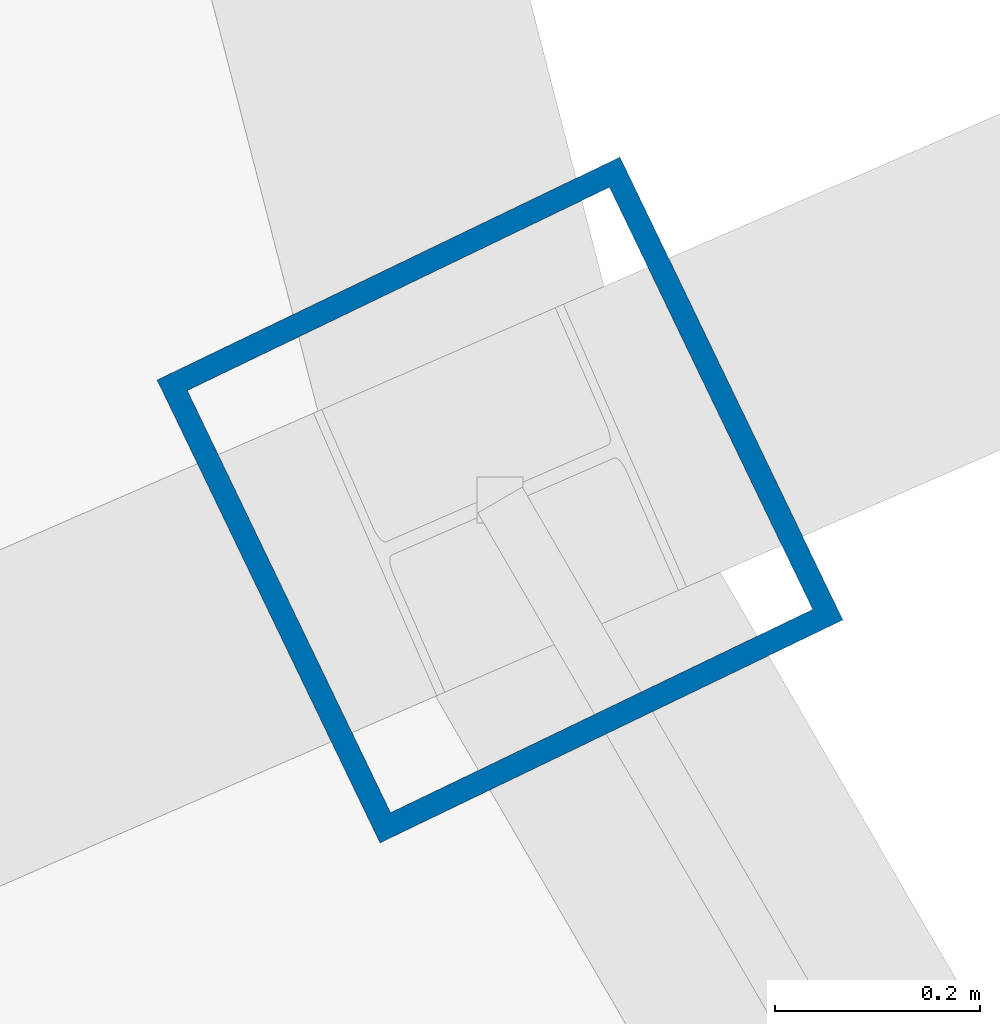
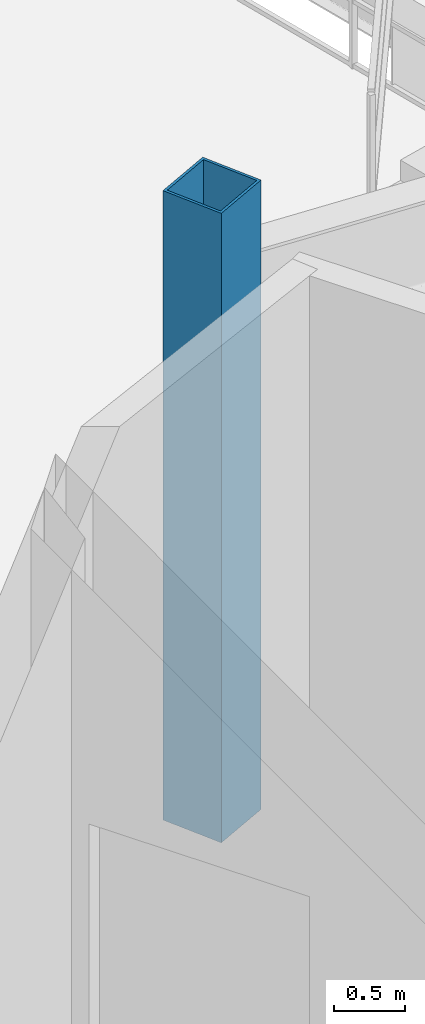
# One storey, part 2 of 186: 1 column.
"""IFC4 building model written with IfcOpenShell, lengths in metres."""

from ifc_helpers import new_model, si_unit, direction, frame, origin, origin_2d, place, context, subcontext, project, spatial, hollow_rectangle, extrude, material, material_profile, profile_set, type_object, element, save


model = new_model("IFC4")

# Units and contexts
model_context = context("Model", 3, precision=1e-05, world=origin(), true_north=direction((0.0, 1.0)))
body_context = subcontext(model_context, "Body", "Model", "MODEL_VIEW")
ifc_project = project(units=[si_unit("LENGTHUNIT", "METRE"), si_unit("AREAUNIT", "SQUARE_METRE"), si_unit("VOLUMEUNIT", "CUBIC_METRE"), si_unit("PLANEANGLEUNIT", "RADIAN"), si_unit("MASSUNIT", "GRAM", prefix="KILO")], contexts=[model_context])

# Site, building, storey
site_placement = place(None, origin())
site = spatial("IfcSite", under=ifc_project, at=site_placement, CompositionType="ELEMENT")
building_placement = place(site_placement, origin())
building = spatial("IfcBuilding", under=site, at=building_placement, Name="Kazemori Nagisa Stadium", CompositionType="ELEMENT")
storey_placement = place(building_placement, frame((0.0, 0.0, 20.39990234375)))
storey = spatial("IfcBuildingStorey", under=building, at=storey_placement, Name="L04", CompositionType="ELEMENT", Elevation=20.39990234375)

# Column
ifc_material = material(Name="Steel STKR490", Category="steel")
ifc_material_profile = material_profile(ifc_material, hollow_rectangle(XDim=0.5, YDim=0.5, WallThickness=0.02197265625, at=origin_2d()), Name="SHS-500x500x22")
ifc_profile_set = profile_set([ifc_material_profile], Name="Steel STKR490")
column_type = type_object("IfcColumnType", Name="Column_C-ST500", PredefinedType="COLUMN", material=ifc_profile_set)
column_placement = place(storey_placement, frame((46.55908203125, 68.67529296875, 0.0), z_axis=(0.0, 0.0, 1.0), x_axis=(-0.900968867905, -0.433883739113, 0.0)))
element("IfcColumn", 1, at=column_placement, inside=storey, type_object=column_type, Name="Column C-ST500 L04 R2-17", PredefinedType="COLUMN", context=body_context, shape_type="SweptSolid", body=[
    extrude(hollow_rectangle(XDim=0.5, YDim=0.5, WallThickness=0.02197265625, at=origin_2d()), origin(), (0.0, 0.0, 1.0), 5.440185546875),
])

save(model, "model.ifc")
